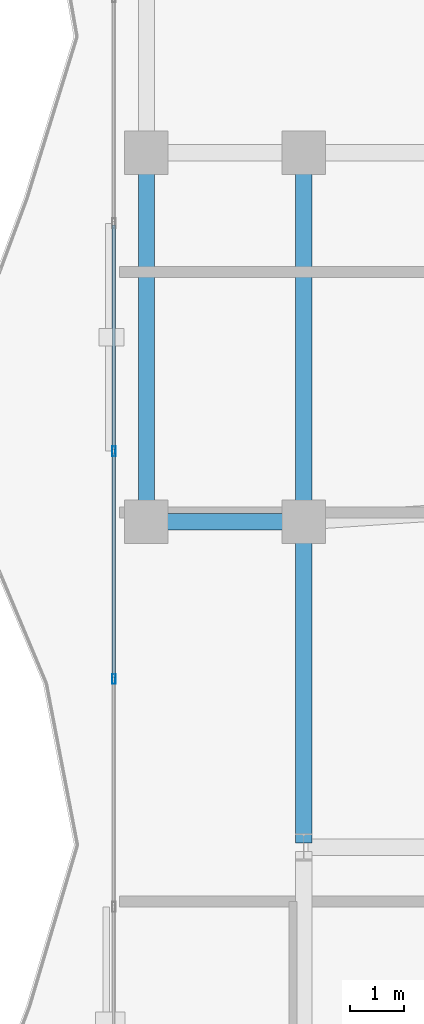
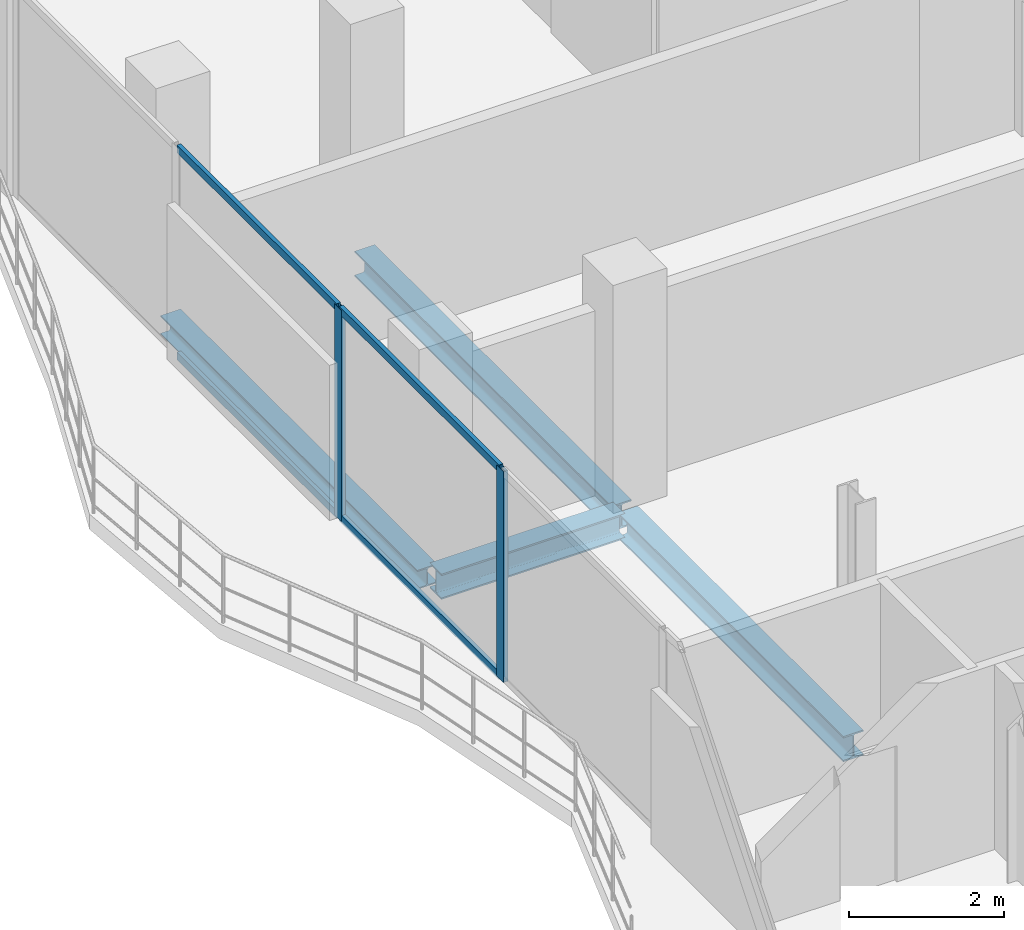
# One storey, part 7 of 23: 6 members, 4 beams, 1 element without a shape of its own.
"""IFC4 building model written with IfcOpenShell, lengths in metres."""

from ifc_helpers import new_model, si_unit, direction, frame, origin, origin_2d, place, context, subcontext, project, spatial, hollow_rectangle, i_section, extrude, material, layer, layer_set, material_profile, profile_set, type_object, element, aggregate, save


model = new_model("IFC4")

# Units and contexts
model_context = context("Model", 3, precision=1e-05, world=origin(), true_north=direction((0.0, 1.0)))
body_context = subcontext(model_context, "Body", "Model", "MODEL_VIEW")
ifc_project = project(units=[si_unit("LENGTHUNIT", "METRE"), si_unit("AREAUNIT", "SQUARE_METRE"), si_unit("VOLUMEUNIT", "CUBIC_METRE"), si_unit("PLANEANGLEUNIT", "RADIAN"), si_unit("MASSUNIT", "GRAM", prefix="KILO")], contexts=[model_context])

# Site, building, storey
site_placement = place(None, origin())
site = spatial("IfcSite", under=ifc_project, at=site_placement, CompositionType="ELEMENT")
building_placement = place(site_placement, origin())
building = spatial("IfcBuilding", under=site, at=building_placement, Name="Catumbela Crestline Tower", CompositionType="ELEMENT")
storey_placement = place(building_placement, frame((0.0, 0.0, 179.4)))
storey = spatial("IfcBuildingStorey", under=building, at=storey_placement, Name="L46", CompositionType="ELEMENT", Elevation=179.4)

# Beams
ifc_material_1 = material(Name="Structural steel S355J2", Category="steel")
ifc_material_profile_1 = material_profile(ifc_material_1, i_section(OverallWidth=0.3, OverallDepth=0.4, WebThickness=0.0135, FlangeThickness=0.024, FilletRadius=0.027, at=origin_2d()), Name="HEB 400")
ifc_profile_set_1 = profile_set([ifc_material_profile_1], Name="Structural steel S355J2")
beam_type_1 = type_object("IfcBeamType", Name="BG-HEB400", PredefinedType="BEAM", material=ifc_profile_set_1)
beam_1_placement = place(storey_placement, frame((5.68, 24.0, -0.46), z_axis=(1.0, 0.0, 0.0), x_axis=(0.0, 1.0, 0.0)))
element("IfcBeam", 1, at=beam_1_placement, inside=storey, type_object=beam_type_1, Name="L46 Beam BM-L46-S01", PredefinedType="BEAM", context=body_context, shape_type="SweptSolid", body=[
    extrude(i_section(OverallWidth=0.3, OverallDepth=0.4, WebThickness=0.0135, FlangeThickness=0.024, FilletRadius=0.027, at=origin_2d()), origin(), (0.0, 0.0, 1.0), 2.74),
])
beam_2_placement = place(storey_placement, frame((8.5, 24.08, -0.46), z_axis=(0.0, 1.0, 0.0), x_axis=(-1.0, 0.0, 0.0)))
element("IfcBeam", 2, at=beam_2_placement, inside=storey, type_object=beam_type_1, Name="L46 Beam BM-L46-SN16", PredefinedType="BEAM", context=body_context, shape_type="SweptSolid", body=[
    extrude(i_section(OverallWidth=0.3, OverallDepth=0.4, WebThickness=0.0135, FlangeThickness=0.024, FilletRadius=0.027, at=origin_2d()), origin(), (0.0, 0.0, 1.0), 6.64),
])
beam_3_placement = place(storey_placement, frame((8.5, 18.08, -0.46), z_axis=(0.0, 1.0, 0.0), x_axis=(-1.0, 0.0, 0.0)))
element("IfcBeam", 3, at=beam_3_placement, inside=storey, type_object=beam_type_1, Name="L46 Beam BM-L46-WNS39", PredefinedType="BEAM", context=body_context, shape_type="SweptSolid", body=[
    extrude(i_section(OverallWidth=0.3, OverallDepth=0.4, WebThickness=0.0135, FlangeThickness=0.024, FilletRadius=0.027, at=origin_2d()), origin(), (0.0, 0.0, 1.0), 5.84),
])

# Curtain wall, members
ifc_material_2 = material(Name="Aluminium alloy AW-6060-T66", Category="aluminium")
ifc_layer = layer(ifc_material_2, 0.18, Name="Aluminium alloy AW-6060-T66")
ifc_layer_set = layer_set([ifc_layer], Name="Aluminium alloy AW-6060-T66")
curtain_wall_type = type_object("IfcCurtainWallType", Name="CWU-Z3", PredefinedType="USERDEFINED", material=ifc_layer_set)
curtain_wall_placement = place(storey_placement, origin())
curtain_wall = element("IfcCurtainWall", 4, at=curtain_wall_placement, inside=storey, type_object=curtain_wall_type, Name="L46 Unitised Curtain Wall CW-L46-E9S2", ObjectType="UNITISED", PredefinedType="USERDEFINED")
ifc_material_profile_2 = material_profile(ifc_material_2, hollow_rectangle(XDim=0.065, YDim=0.18, WallThickness=0.004, at=origin_2d()), Name="ALU 180x65x4")
ifc_profile_set_2 = profile_set([ifc_material_profile_2], Name="Aluminium alloy AW-6060-T66")
member_type_1 = type_object("IfcMemberType", Name="MUL-180X65", PredefinedType="MULLION", material=ifc_profile_set_2)
member_1_placement = place(storey_placement, frame((5.0, 25.3, 0.0), z_axis=(0.0, 0.0, 1.0), x_axis=(1.0, 0.0, 0.0)))
member_1 = element("IfcMember", 5, at=member_1_placement, type_object=member_type_1, Name="CWU-Z3 mullion 3", PredefinedType="MULLION", context=body_context, shape_type="SweptSolid", body=[
    extrude(hollow_rectangle(XDim=0.065, YDim=0.18, WallThickness=0.004, at=origin_2d()), origin(), (0.0, 0.0, 1.0), 3.33),
])
member_2_placement = place(storey_placement, frame((5.0, 21.1, 0.0), z_axis=(0.0, 0.0, 1.0), x_axis=(1.0, 0.0, 0.0)))
member_2 = element("IfcMember", 6, at=member_2_placement, type_object=member_type_1, Name="CWU-Z3 mullion 4", PredefinedType="MULLION", context=body_context, shape_type="SweptSolid", body=[
    extrude(hollow_rectangle(XDim=0.065, YDim=0.18, WallThickness=0.004, at=origin_2d()), origin(), (0.0, 0.0, 1.0), 3.33),
])

# Beam
ifc_material_profile_3 = material_profile(ifc_material_1, i_section(OverallWidth=0.3, OverallDepth=0.3, WebThickness=0.011, FlangeThickness=0.019, FilletRadius=0.027, at=origin_2d()), Name="HEB 300")
ifc_profile_set_3 = profile_set([ifc_material_profile_3], Name="Structural steel S355J2")
beam_type_2 = type_object("IfcBeamType", Name="BS-HEB300", PredefinedType="SPANDREL", material=ifc_profile_set_3)
beam_4_placement = place(storey_placement, frame((5.6, 24.08, -0.41), z_axis=(0.0, 1.0, 0.0), x_axis=(-1.0, 0.0, 0.0)))
element("IfcBeam", 7, at=beam_4_placement, inside=storey, type_object=beam_type_2, Name="L46 Spandrel SP-L46-SN14", PredefinedType="SPANDREL", context=body_context, shape_type="SweptSolid", body=[
    extrude(i_section(OverallWidth=0.3, OverallDepth=0.3, WebThickness=0.011, FlangeThickness=0.019, FilletRadius=0.027, at=origin_2d()), origin(), (0.0, 0.0, 1.0), 6.64),
])

# Member
ifc_material_profile_4 = material_profile(ifc_material_2, hollow_rectangle(XDim=0.06, YDim=0.12, WallThickness=0.0035, at=origin_2d()), Name="ALU 120x60x3.5")
ifc_profile_set_4 = profile_set([ifc_material_profile_4], Name="Aluminium alloy AW-6060-T66")
member_type_2 = type_object("IfcMemberType", Name="TRN-120X60", PredefinedType="USERDEFINED", material=ifc_profile_set_4)
member_3_placement = place(storey_placement, frame((5.0, 29.4675, 0.03), z_axis=(0.0, -1.0, 0.0), x_axis=(1.0, 0.0, 0.0)))
member_3 = element("IfcMember", 8, at=member_3_placement, type_object=member_type_2, Name="CWU-Z3 transom 2.1", ObjectType="TRANSOM", PredefinedType="USERDEFINED", context=body_context, shape_type="SweptSolid", body=[
    extrude(hollow_rectangle(XDim=0.06, YDim=0.12, WallThickness=0.0035, at=origin_2d()), origin(), (0.0, 0.0, 1.0), 4.135),
])

member_4_placement = place(storey_placement, frame((5.0, 29.4675, 3.3), z_axis=(0.0, -1.0, 0.0), x_axis=(1.0, 0.0, 0.0)))
member_4 = element("IfcMember", 9, at=member_4_placement, type_object=member_type_2, Name="CWU-Z3 transom 2.2", ObjectType="TRANSOM", PredefinedType="USERDEFINED", context=body_context, shape_type="SweptSolid", body=[
    extrude(hollow_rectangle(XDim=0.06, YDim=0.12, WallThickness=0.0035, at=origin_2d()), origin(), (0.0, 0.0, 1.0), 4.135),
])

member_5_placement = place(storey_placement, frame((5.0, 25.2675, 0.03), z_axis=(0.0, -1.0, 0.0), x_axis=(1.0, 0.0, 0.0)))
member_5 = element("IfcMember", 10, at=member_5_placement, type_object=member_type_2, Name="CWU-Z3 transom 3.1", ObjectType="TRANSOM", PredefinedType="USERDEFINED", context=body_context, shape_type="SweptSolid", body=[
    extrude(hollow_rectangle(XDim=0.06, YDim=0.12, WallThickness=0.0035, at=origin_2d()), origin(), (0.0, 0.0, 1.0), 4.135),
])

member_6_placement = place(storey_placement, frame((5.0, 25.2675, 3.3), z_axis=(0.0, -1.0, 0.0), x_axis=(1.0, 0.0, 0.0)))
member_6 = element("IfcMember", 11, at=member_6_placement, type_object=member_type_2, Name="CWU-Z3 transom 3.2", ObjectType="TRANSOM", PredefinedType="USERDEFINED", context=body_context, shape_type="SweptSolid", body=[
    extrude(hollow_rectangle(XDim=0.06, YDim=0.12, WallThickness=0.0035, at=origin_2d()), origin(), (0.0, 0.0, 1.0), 4.135),
])

aggregate(curtain_wall, [member_1, member_2, member_3, member_4, member_5, member_6])

save(model, "model.ifc")
